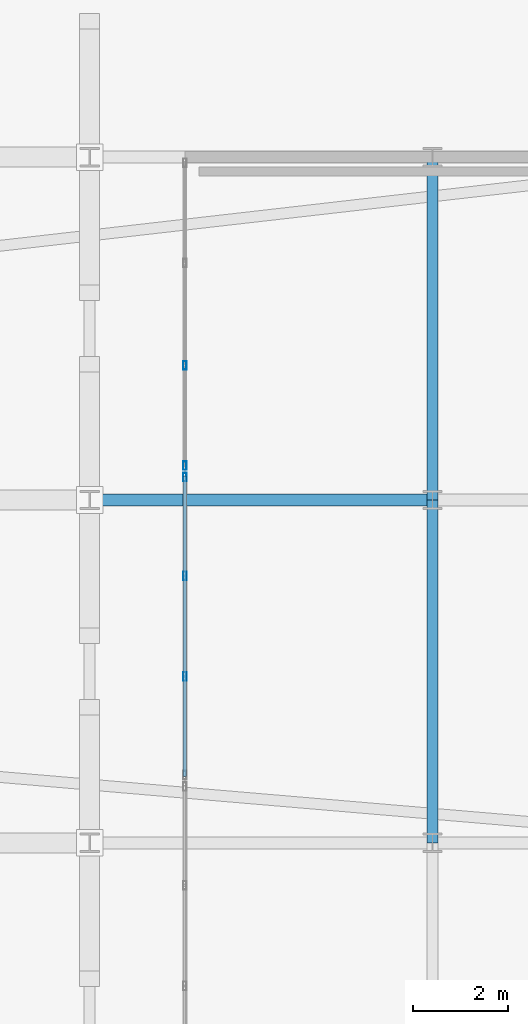
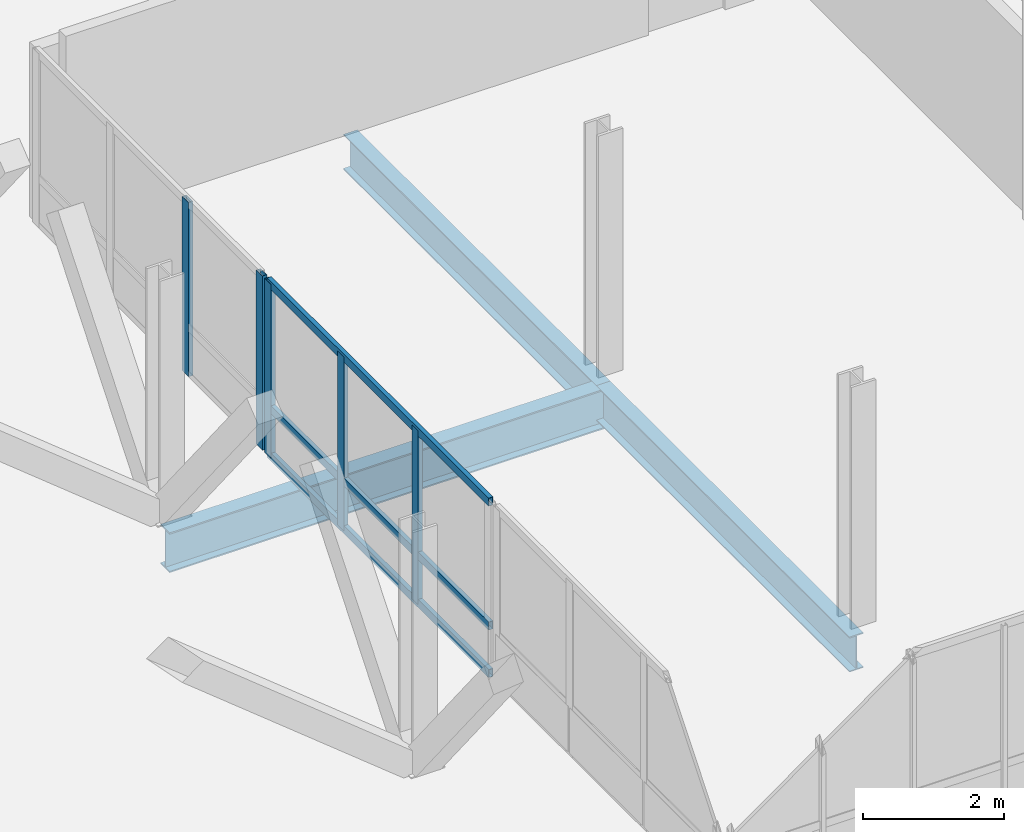
# One storey, part 15 of 102: 8 members, 3 beams, 2 elements without a shape of their own.
"""IFC4 building model written with IfcOpenShell, lengths in metres."""

import ifcopenshell
import ifcopenshell.guid

model = None  # the IFC model being written
_history = None  # IfcOwnerHistory: only IFC2X3 demands one
_inside = {}  # id of a spatial element -> (the spatial element, [elements in it])
_under = {}  # id of a project, library or spatial element -> (it, [spatial elements below it])
_declared = {}  # id of a project -> (the project, [libraries it declares])
_typed = {}  # id of a type object -> (the type object, [elements of that type])
_made_of = {}  # id of a material, layer set ... -> (it, [elements and type objects made of it])


def new_model(schema):
    """Start an empty IFC model of exactly this schema.

    Asked for "IFC4X3", IfcOpenShell would pick the latest addendum, in which some entities
    have other attributes; the version numbers below select the first issue.
    IFC2X3 requires an IfcOwnerHistory on every rooted entity: one is made here for all.
    """
    global model, _history
    if schema == "IFC4X3":
        model = ifcopenshell.file(schema_version=(4, 3, 0, 0))
    else:
        model = ifcopenshell.file(schema=schema)
    _inside.clear()
    _under.clear()
    _declared.clear()
    _typed.clear()
    _made_of.clear()
    _history = None
    if model.schema == "IFC2X3":
        org = make("IfcOrganization", Name="unknown")
        user = make(
            "IfcPersonAndOrganization",
            ThePerson=make("IfcPerson", FamilyName="unknown"),
            TheOrganization=org,
        )
        app = make(
            "IfcApplication",
            ApplicationDeveloper=org,
            Version="unknown",
            ApplicationFullName="unknown",
            ApplicationIdentifier="unknown",
        )
        _history = make(
            "IfcOwnerHistory",
            OwningUser=user,
            OwningApplication=app,
            ChangeAction="ADDED",
            CreationDate=0,
        )
    return model


def make(cls, **values):
    """One entity of the class cls with the attributes given. An attribute that is None is left unset."""
    return model.create_entity(
        cls, **{name: value for name, value in values.items() if value is not None}
    )


def rooted(cls, **values):
    """An entity with a GlobalId (a new one), such as an element, a storey or a relation."""
    return make(cls, GlobalId=ifcopenshell.guid.new(), OwnerHistory=_history, **values)


def si_unit(unit_type, name, prefix=None):
    """IfcSIUnit, for example si_unit("LENGTHUNIT", "METRE", prefix="MILLI")."""
    return make("IfcSIUnit", UnitType=unit_type, Prefix=prefix, Name=name)


def assignment(units):
    """IfcUnitAssignment: the units of a project."""
    return None if units is None else make("IfcUnitAssignment", Units=units)


def point(xyz):
    """IfcCartesianPoint."""
    return None if xyz is None else make("IfcCartesianPoint", Coordinates=xyz)


def direction(xyz):
    """IfcDirection."""
    return None if xyz is None else make("IfcDirection", DirectionRatios=xyz)


def frame(location, z_axis=None, x_axis=None):
    """IfcAxis2Placement3D, a coordinate frame: its origin and axes. An axis left out is left unset."""
    return make(
        "IfcAxis2Placement3D",
        Location=point(location),
        Axis=direction(z_axis),
        RefDirection=direction(x_axis),
    )


def frame_2d(location, x_axis=None):
    """IfcAxis2Placement2D, a coordinate frame in the plane: its origin and x axis."""
    return make(
        "IfcAxis2Placement2D", Location=point(location), RefDirection=direction(x_axis)
    )


def origin():
    """The frame at (0, 0, 0) with its axes left unset."""
    return frame((0.0, 0.0, 0.0))


def origin_2d():
    """The frame at (0, 0) in the plane with its x axis left unset."""
    return frame_2d((0.0, 0.0))


def place(relative_to, where):
    """IfcLocalPlacement: puts the frame where relative to a parent placement (None: the world)."""
    return make(
        "IfcLocalPlacement", PlacementRelTo=relative_to, RelativePlacement=where
    )


def context(
    kind, dimensions, precision=None, world=None, true_north=None, identifier=None
):
    """IfcGeometricRepresentationContext, for example the 3D "Model" context."""
    return make(
        "IfcGeometricRepresentationContext",
        ContextIdentifier=identifier,
        ContextType=kind,
        CoordinateSpaceDimension=dimensions,
        Precision=precision,
        WorldCoordinateSystem=world,
        TrueNorth=true_north,
    )


def subcontext(parent, identifier, kind, view, scale=None):
    """IfcGeometricRepresentationSubContext, for example "Body" below "Model"."""
    return make(
        "IfcGeometricRepresentationSubContext",
        ContextIdentifier=identifier,
        ContextType=kind,
        ParentContext=parent,
        TargetScale=scale,
        TargetView=view,
    )


def project(units=None, contexts=None):
    """IfcProject with its units and contexts."""
    return rooted(
        "IfcProject",
        Name="project",
        RepresentationContexts=contexts,
        UnitsInContext=assignment(units),
    )


def spatial(cls, under=None, at=None, **own):
    """A site, building, storey or space (cls), placed at a placement, below another one or the project."""
    s = rooted(cls, ObjectPlacement=at, **own)
    if under is not None:
        _under.setdefault(under.id(), (under, []))[1].append(s)
    return s


def profile(cls, at=None, kind="AREA", **sizes):
    """A parametric profile (cls). Its sizes go by their IFC names, for example OverallWidth=200.0."""
    return make(cls, ProfileType=kind, Position=at, **sizes)


def hollow_rectangle(**sizes):
    """IfcRectangleHollowProfileDef."""
    return profile("IfcRectangleHollowProfileDef", **sizes)


def i_section(**sizes):
    """IfcIShapeProfileDef."""
    return profile("IfcIShapeProfileDef", **sizes)


def extrude(swept, where, along, depth):
    """IfcExtrudedAreaSolid: the profile swept, set in the frame where, extruded along a direction by depth."""
    return make(
        "IfcExtrudedAreaSolid",
        SweptArea=swept,
        Position=where,
        ExtrudedDirection=direction(along),
        Depth=depth,
    )


def shape(context_of_items, identifier, shape_type, items):
    """IfcShapeRepresentation: the items that make up one representation, for example the "Body"."""
    return make(
        "IfcShapeRepresentation",
        ContextOfItems=context_of_items,
        RepresentationIdentifier=identifier,
        RepresentationType=shape_type,
        Items=items,
    )


def material(Name=None, Category=None):
    """IfcMaterial."""
    return make("IfcMaterial", Name=Name, Category=Category)


def material_profile(
    of_material, cross_section, Name=None, Category=None, Priority=None
):
    """IfcMaterialProfile: a cross section and its material."""
    return make(
        "IfcMaterialProfile",
        Name=Name,
        Material=of_material,
        Profile=cross_section,
        Priority=Priority,
        Category=Category,
    )


def profile_set(profiles, Name=None, composite=None):
    """IfcMaterialProfileSet."""
    return make(
        "IfcMaterialProfileSet",
        Name=Name,
        MaterialProfiles=profiles,
        CompositeProfile=composite,
    )


def made_of(thing, what):
    """Note that an element or type object is made of a material, layer set ...; save() writes the relation."""
    if what is not None:
        _made_of.setdefault(what.id(), (what, []))[1].append(thing)
    return thing


def type_object(cls, material=None, **own):
    """A type object (cls), such as IfcWallType, which elements share."""
    return made_of(rooted(cls, **own), material)


def element(
    cls,
    number,
    at=None,
    inside=None,
    cuts=None,
    type_object=None,
    material=None,
    context=None,
    identifier="Body",
    shape_type=None,
    held_by="IfcProductDefinitionShape",
    body=None,
    shapes=None,
    **own,
):
    """One element of the class cls, such as IfcWall. Its Tag is "e" and its number.

    at: its placement. inside: the storey or other place that contains it. cuts: it is an
    opening in that element (IfcRelVoidsElement). A single representation is given by context,
    identifier, shape_type and body (its items); several are given by shapes. held_by: the class
    of the entity that holds the representations. save() writes the other relations.
    """
    e = rooted(cls, Tag="e%d" % number, ObjectPlacement=at, **own)
    if body is not None:
        shapes = [shape(context, identifier, shape_type, body)]
    if shapes is not None:
        e.Representation = make(held_by, Representations=shapes)
    if inside is not None:
        _inside.setdefault(inside.id(), (inside, []))[1].append(e)
    if cuts is not None:
        rooted(
            "IfcRelVoidsElement", RelatingBuildingElement=cuts, RelatedOpeningElement=e
        )
    if type_object is not None:
        _typed.setdefault(type_object.id(), (type_object, []))[1].append(e)
    return made_of(e, material)


def aggregate(whole, parts):
    """IfcRelAggregates: a whole, such as a stair, and the parts it consists of."""
    return rooted("IfcRelAggregates", RelatingObject=whole, RelatedObjects=parts)


def save(model, path):
    """Write the relations noted so far, then the file.

    IfcRelAggregates (storeys below a building ...), IfcRelContainedInSpatialStructure (elements
    in a storey), IfcRelDefinesByType, IfcRelAssociatesMaterial and IfcRelDeclares: one each for
    every whole, place, type object, material and project.
    """
    for whole, parts in _under.values():
        aggregate(whole, parts)
    for where, things in _inside.values():
        rooted(
            "IfcRelContainedInSpatialStructure",
            RelatedElements=things,
            RelatingStructure=where,
        )
    for kind, things in _typed.values():
        rooted("IfcRelDefinesByType", RelatedObjects=things, RelatingType=kind)
    for what, things in _made_of.values():
        rooted("IfcRelAssociatesMaterial", RelatedObjects=things, RelatingMaterial=what)
    for by, libraries in _declared.values():
        rooted("IfcRelDeclares", RelatingContext=by, RelatedDefinitions=libraries)
    model.write(path)


model = new_model("IFC4")

# Units and contexts
model_context = context("Model", 3, precision=1e-05, world=origin(), true_north=direction((0.0, 1.0)))
body_context = subcontext(model_context, "Body", "Model", "MODEL_VIEW")
ifc_project = project(units=[si_unit("LENGTHUNIT", "METRE"), si_unit("AREAUNIT", "SQUARE_METRE"), si_unit("VOLUMEUNIT", "CUBIC_METRE"), si_unit("PLANEANGLEUNIT", "RADIAN"), si_unit("MASSUNIT", "GRAM", prefix="KILO")], contexts=[model_context])

# Site, building, storey
site_placement = place(None, origin())
site = spatial("IfcSite", under=ifc_project, at=site_placement, CompositionType="ELEMENT")
building_placement = place(site_placement, origin())
building = spatial("IfcBuilding", under=site, at=building_placement, Name="Yarey Park Central Fire Station", CompositionType="ELEMENT")
storey_placement = place(building_placement, frame((0.0, 0.0, 6.0)))
storey = spatial("IfcBuildingStorey", under=building, at=storey_placement, Name="L02", CompositionType="ELEMENT", Elevation=6.0)

# Curtain wall, members
ifc_material_1 = material(Name="Anodized Aluminium Frame", Category="aluminium")
curtain_wall_type = type_object("IfcCurtainWallType", Name="ENV_CW_V3_GALW", PredefinedType="NOTDEFINED", material=ifc_material_1)
curtain_wall_1_placement = place(storey_placement, origin())
curtain_wall_1 = element("IfcCurtainWall", 1, at=curtain_wall_1_placement, inside=storey, type_object=curtain_wall_type, Name="CW_L02_V1_W_031", PredefinedType="NOTDEFINED")
ifc_material_profile_1 = material_profile(ifc_material_1, hollow_rectangle(XDim=0.070068359375, YDim=0.179931640625, WallThickness=0.00390625, at=origin_2d()), Name="ALU 180x70x4")
ifc_profile_set_1 = profile_set([ifc_material_profile_1], Name="Anodized Aluminium Frame")
member_type_1 = type_object("IfcMemberType", Name="ENV_CW_MULLION", PredefinedType="MULLION", material=ifc_profile_set_1)
member_1_placement = place(storey_placement, frame((16.39990234375, 36.47998046875, 0.0), z_axis=(0.0, 0.0, 1.0), x_axis=(1.0, 0.0, 0.0)))
member_1 = element("IfcMember", 2, at=member_1_placement, type_object=member_type_1, Name="CW_L02_V1_W_031_MUL1", PredefinedType="MULLION", context=body_context, shape_type="SweptSolid", body=[
    extrude(hollow_rectangle(XDim=0.070068359375, YDim=0.179931640625, WallThickness=0.00390625, at=origin_2d()), origin(), (0.0, 0.0, 1.0), 3.028076171875),
])
member_2_placement = place(storey_placement, frame((16.39990234375, 34.40673828125, 0.0), z_axis=(0.0, 0.0, 1.0), x_axis=(1.0, 0.0, 0.0)))
member_2 = element("IfcMember", 3, at=member_2_placement, type_object=member_type_1, Name="CW_L02_V1_W_031_MUL2", PredefinedType="MULLION", context=body_context, shape_type="SweptSolid", body=[
    extrude(hollow_rectangle(XDim=0.070068359375, YDim=0.179931640625, WallThickness=0.00390625, at=origin_2d()), origin(), (0.0, 0.0, 1.0), 3.028076171875),
])
member_3_placement = place(storey_placement, frame((16.39990234375, 32.293212890625, 0.0), z_axis=(0.0, 0.0, 1.0), x_axis=(1.0, 0.0, 0.0)))
member_3 = element("IfcMember", 4, at=member_3_placement, type_object=member_type_1, Name="CW_L02_V1_W_031_MUL3", PredefinedType="MULLION", context=body_context, shape_type="SweptSolid", body=[
    extrude(hollow_rectangle(XDim=0.070068359375, YDim=0.179931640625, WallThickness=0.00390625, at=origin_2d()), origin(), (0.0, 0.0, 1.0), 3.028076171875),
])

curtain_wall_2_placement = place(storey_placement, origin())
curtain_wall_2 = element("IfcCurtainWall", 5, at=curtain_wall_2_placement, inside=storey, type_object=curtain_wall_type, Name="CW_L02_V1_W_032", PredefinedType="NOTDEFINED")
member_4_placement = place(storey_placement, frame((16.39990234375, 38.82666015625, 0.0), z_axis=(0.0, 0.0, 1.0), x_axis=(1.0, 0.0, 0.0)))
member_4 = element("IfcMember", 6, at=member_4_placement, type_object=member_type_1, Name="CW_L02_V1_W_032_MUL3", PredefinedType="MULLION", context=body_context, shape_type="SweptSolid", body=[
    extrude(hollow_rectangle(XDim=0.070068359375, YDim=0.179931640625, WallThickness=0.00390625, at=origin_2d()), origin(), (0.0, 0.0, 1.0), 3.028076171875),
])
member_5_placement = place(storey_placement, frame((16.39990234375, 36.719970703125, 0.0), z_axis=(0.0, 0.0, 1.0), x_axis=(1.0, 0.0, 0.0)))
member_5 = element("IfcMember", 7, at=member_5_placement, type_object=member_type_1, Name="CW_L02_V1_W_032_MUL4", PredefinedType="MULLION", context=body_context, shape_type="SweptSolid", body=[
    extrude(hollow_rectangle(XDim=0.070068359375, YDim=0.179931640625, WallThickness=0.00390625, at=origin_2d()), origin(), (0.0, 0.0, 1.0), 3.028076171875),
])
aggregate(curtain_wall_2, [member_4, member_5])

# Member
ifc_material_profile_2 = material_profile(ifc_material_1, hollow_rectangle(XDim=0.070068359375, YDim=0.139892578125, WallThickness=0.00390625, at=origin_2d()), Name="ALU 140x70x4")
ifc_profile_set_2 = profile_set([ifc_material_profile_2], Name="Anodized Aluminium Frame")
member_type_2 = type_object("IfcMemberType", Name="ENV_CW_TRANSOM", PredefinedType="USERDEFINED", material=ifc_profile_set_2)
member_6_placement = place(storey_placement, frame((16.39990234375, 36.5048828125, 0.02490234375), z_axis=(0.0, -1.0, 0.0), x_axis=(1.0, 0.0, 0.0)))
member_6 = element("IfcMember", 8, at=member_6_placement, type_object=member_type_2, Name="CW_L02_V1_W_031_TRN1", ObjectType="TRANSOM", PredefinedType="USERDEFINED", context=body_context, shape_type="SweptSolid", body=[
    extrude(hollow_rectangle(XDim=0.070068359375, YDim=0.139892578125, WallThickness=0.00390625, at=origin_2d()), origin(), (0.0, 0.0, 1.0), 6.309814453125),
])

member_7_placement = place(storey_placement, frame((16.39990234375, 36.5048828125, 0.85009765625), z_axis=(0.0, -1.0, 0.0), x_axis=(1.0, 0.0, 0.0)))
member_7 = element("IfcMember", 9, at=member_7_placement, type_object=member_type_2, Name="CW_L02_V1_W_031_TRN2", ObjectType="TRANSOM", PredefinedType="USERDEFINED", context=body_context, shape_type="SweptSolid", body=[
    extrude(hollow_rectangle(XDim=0.070068359375, YDim=0.139892578125, WallThickness=0.00390625, at=origin_2d()), origin(), (0.0, 0.0, 1.0), 6.309814453125),
])

member_8_placement = place(storey_placement, frame((16.39990234375, 36.5048828125, 3.0029296875), z_axis=(0.0, -1.0, 0.0), x_axis=(1.0, 0.0, 0.0)))
member_8 = element("IfcMember", 10, at=member_8_placement, type_object=member_type_2, Name="CW_L02_V1_W_031_TRN3", ObjectType="TRANSOM", PredefinedType="USERDEFINED", context=body_context, shape_type="SweptSolid", body=[
    extrude(hollow_rectangle(XDim=0.070068359375, YDim=0.139892578125, WallThickness=0.00390625, at=origin_2d()), origin(), (0.0, 0.0, 1.0), 6.309814453125),
])

aggregate(curtain_wall_1, [member_1, member_2, member_3, member_6, member_7, member_8])

# Beams
ifc_material_2 = material(Name="Steel ASTM A992 Gr. 50", Category="steel")
ifc_material_profile_3 = material_profile(ifc_material_2, i_section(OverallWidth=0.22900390625, OverallDepth=0.612060546875, WebThickness=0.011962890625, FlangeThickness=0.01953125, at=origin_2d()), Name="W610x125")
ifc_profile_set_3 = profile_set([ifc_material_profile_3], Name="Steel ASTM A992 Gr. 50")
beam_type_1 = type_object("IfcBeamType", Name="STR_BM_W610", PredefinedType="BEAM", material=ifc_profile_set_3)
for number, where, z_axis, x_axis, name in (
    (11, (21.60009765625, 28.800048828125, -0.591064453125), (0.0, 1.0, 0.0), (-1.0, 0.0, 0.0), "DRUM L02 BY21 Y288"),
    (12, (21.60009765625, 36.0, -0.591064453125), (0.0, 1.0, 0.0), (-1.0, 0.0, 0.0), "DRUM L02 BY21 Y360"),
):
    element("IfcBeam", number, at=place(storey_placement, frame(where, z_axis=z_axis, x_axis=x_axis)), inside=storey, type_object=beam_type_1, Name=name, PredefinedType="BEAM", context=body_context, shape_type="SweptSolid", body=[
        extrude(i_section(OverallWidth=0.22900390625, OverallDepth=0.612060546875, WebThickness=0.011962890625, FlangeThickness=0.01953125, at=origin_2d()), origin(), (0.0, 0.0, 1.0), 7.199951171875),
    ])
ifc_material_profile_4 = material_profile(ifc_material_2, i_section(OverallWidth=0.256103515625, OverallDepth=0.693115234375, WebThickness=0.014404296875, FlangeThickness=0.023681640625, at=origin_2d()), Name="W690x170")
ifc_profile_set_4 = profile_set([ifc_material_profile_4], Name="Steel ASTM A992 Gr. 50")
beam_type_2 = type_object("IfcBeamType", Name="STR_BM_W690", PredefinedType="BEAM", material=ifc_profile_set_4)
beam_placement = place(storey_placement, frame((14.39990234375, 36.0, -0.631591796875), z_axis=(1.0, 0.0, 0.0), x_axis=(0.0, 1.0, 0.0)))
element("IfcBeam", 13, at=beam_placement, inside=storey, type_object=beam_type_2, Name="DRUM L02 G1 Y360", PredefinedType="BEAM", context=body_context, shape_type="SweptSolid", body=[
    extrude(i_section(OverallWidth=0.256103515625, OverallDepth=0.693115234375, WebThickness=0.014404296875, FlangeThickness=0.023681640625, at=origin_2d()), origin(), (0.0, 0.0, 1.0), 7.2001953125),
])

save(model, "model.ifc")
